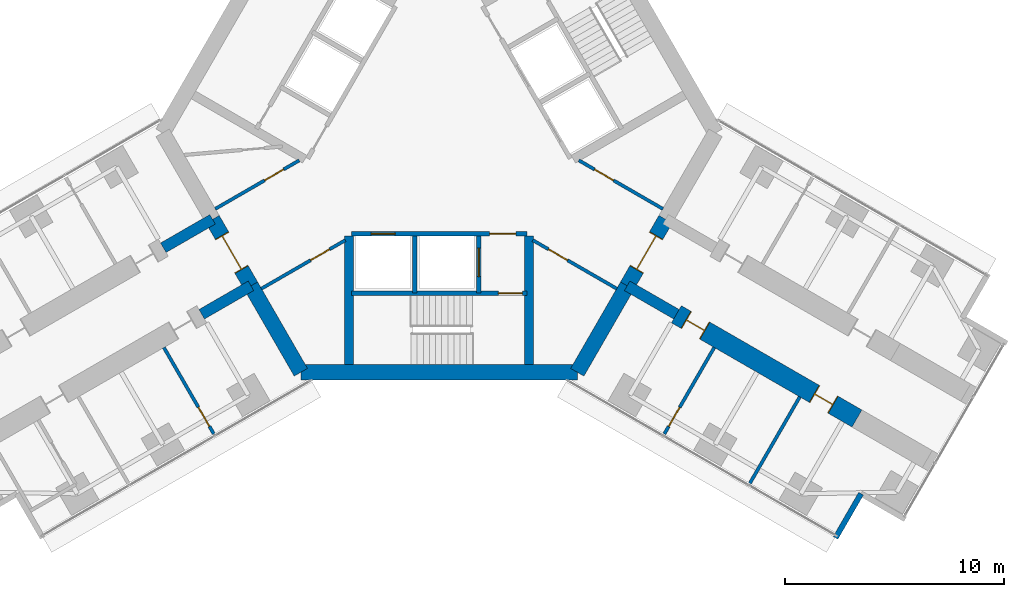
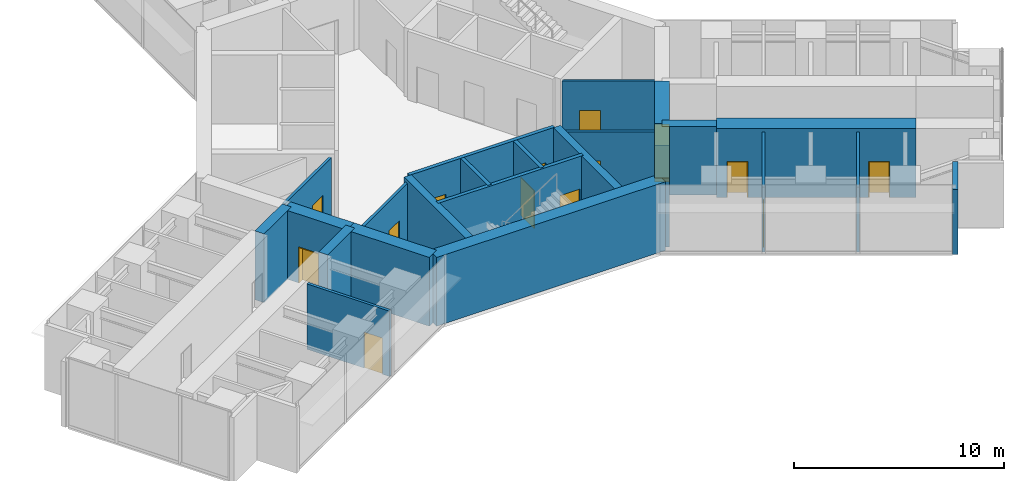
# One storey, part 20 of 24: 23 walls, 14 doors, 14 openings.
"""IFC4 building model written with IfcOpenShell, lengths in metres."""

import ifcopenshell
import ifcopenshell.guid

model = None  # the IFC model being written
_history = None  # IfcOwnerHistory: only IFC2X3 demands one
_inside = {}  # id of a spatial element -> (the spatial element, [elements in it])
_under = {}  # id of a project, library or spatial element -> (it, [spatial elements below it])
_declared = {}  # id of a project -> (the project, [libraries it declares])
_typed = {}  # id of a type object -> (the type object, [elements of that type])
_made_of = {}  # id of a material, layer set ... -> (it, [elements and type objects made of it])


def new_model(schema):
    """Start an empty IFC model of exactly this schema.

    Asked for "IFC4X3", IfcOpenShell would pick the latest addendum, in which some entities
    have other attributes; the version numbers below select the first issue.
    IFC2X3 requires an IfcOwnerHistory on every rooted entity: one is made here for all.
    """
    global model, _history
    if schema == "IFC4X3":
        model = ifcopenshell.file(schema_version=(4, 3, 0, 0))
    else:
        model = ifcopenshell.file(schema=schema)
    _inside.clear()
    _under.clear()
    _declared.clear()
    _typed.clear()
    _made_of.clear()
    _history = None
    if model.schema == "IFC2X3":
        org = make("IfcOrganization", Name="unknown")
        user = make(
            "IfcPersonAndOrganization",
            ThePerson=make("IfcPerson", FamilyName="unknown"),
            TheOrganization=org,
        )
        app = make(
            "IfcApplication",
            ApplicationDeveloper=org,
            Version="unknown",
            ApplicationFullName="unknown",
            ApplicationIdentifier="unknown",
        )
        _history = make(
            "IfcOwnerHistory",
            OwningUser=user,
            OwningApplication=app,
            ChangeAction="ADDED",
            CreationDate=0,
        )
    return model


def make(cls, **values):
    """One entity of the class cls with the attributes given. An attribute that is None is left unset."""
    return model.create_entity(
        cls, **{name: value for name, value in values.items() if value is not None}
    )


def rooted(cls, **values):
    """An entity with a GlobalId (a new one), such as an element, a storey or a relation."""
    return make(cls, GlobalId=ifcopenshell.guid.new(), OwnerHistory=_history, **values)


def si_unit(unit_type, name, prefix=None):
    """IfcSIUnit, for example si_unit("LENGTHUNIT", "METRE", prefix="MILLI")."""
    return make("IfcSIUnit", UnitType=unit_type, Prefix=prefix, Name=name)


def assignment(units):
    """IfcUnitAssignment: the units of a project."""
    return None if units is None else make("IfcUnitAssignment", Units=units)


def point(xyz):
    """IfcCartesianPoint."""
    return None if xyz is None else make("IfcCartesianPoint", Coordinates=xyz)


def direction(xyz):
    """IfcDirection."""
    return None if xyz is None else make("IfcDirection", DirectionRatios=xyz)


def frame(location, z_axis=None, x_axis=None):
    """IfcAxis2Placement3D, a coordinate frame: its origin and axes. An axis left out is left unset."""
    return make(
        "IfcAxis2Placement3D",
        Location=point(location),
        Axis=direction(z_axis),
        RefDirection=direction(x_axis),
    )


def frame_2d(location, x_axis=None):
    """IfcAxis2Placement2D, a coordinate frame in the plane: its origin and x axis."""
    return make(
        "IfcAxis2Placement2D", Location=point(location), RefDirection=direction(x_axis)
    )


def origin():
    """The frame at (0, 0, 0) with its axes left unset."""
    return frame((0.0, 0.0, 0.0))


def place(relative_to, where):
    """IfcLocalPlacement: puts the frame where relative to a parent placement (None: the world)."""
    return make(
        "IfcLocalPlacement", PlacementRelTo=relative_to, RelativePlacement=where
    )


def context(
    kind, dimensions, precision=None, world=None, true_north=None, identifier=None
):
    """IfcGeometricRepresentationContext, for example the 3D "Model" context."""
    return make(
        "IfcGeometricRepresentationContext",
        ContextIdentifier=identifier,
        ContextType=kind,
        CoordinateSpaceDimension=dimensions,
        Precision=precision,
        WorldCoordinateSystem=world,
        TrueNorth=true_north,
    )


def subcontext(parent, identifier, kind, view, scale=None):
    """IfcGeometricRepresentationSubContext, for example "Body" below "Model"."""
    return make(
        "IfcGeometricRepresentationSubContext",
        ContextIdentifier=identifier,
        ContextType=kind,
        ParentContext=parent,
        TargetScale=scale,
        TargetView=view,
    )


def project(units=None, contexts=None):
    """IfcProject with its units and contexts."""
    return rooted(
        "IfcProject",
        Name="project",
        RepresentationContexts=contexts,
        UnitsInContext=assignment(units),
    )


def spatial(cls, under=None, at=None, **own):
    """A site, building, storey or space (cls), placed at a placement, below another one or the project."""
    s = rooted(cls, ObjectPlacement=at, **own)
    if under is not None:
        _under.setdefault(under.id(), (under, []))[1].append(s)
    return s


def profile(cls, at=None, kind="AREA", **sizes):
    """A parametric profile (cls). Its sizes go by their IFC names, for example OverallWidth=200.0."""
    return make(cls, ProfileType=kind, Position=at, **sizes)


def rectangle(**sizes):
    """IfcRectangleProfileDef."""
    return profile("IfcRectangleProfileDef", **sizes)


def extrude(swept, where, along, depth):
    """IfcExtrudedAreaSolid: the profile swept, set in the frame where, extruded along a direction by depth."""
    return make(
        "IfcExtrudedAreaSolid",
        SweptArea=swept,
        Position=where,
        ExtrudedDirection=direction(along),
        Depth=depth,
    )


def shape(context_of_items, identifier, shape_type, items):
    """IfcShapeRepresentation: the items that make up one representation, for example the "Body"."""
    return make(
        "IfcShapeRepresentation",
        ContextOfItems=context_of_items,
        RepresentationIdentifier=identifier,
        RepresentationType=shape_type,
        Items=items,
    )


def material(Name=None, Category=None):
    """IfcMaterial."""
    return make("IfcMaterial", Name=Name, Category=Category)


def layer(
    of_material, thickness, ventilated=None, Name=None, Category=None, Priority=None
):
    """IfcMaterialLayer: one layer of a wall or slab, of a material (None: an air gap)."""
    return make(
        "IfcMaterialLayer",
        Material=of_material,
        LayerThickness=thickness,
        IsVentilated=ventilated,
        Name=Name,
        Category=Category,
        Priority=Priority,
    )


def layer_set(layers, Name=None):
    """IfcMaterialLayerSet."""
    return make("IfcMaterialLayerSet", MaterialLayers=layers, LayerSetName=Name)


def made_of(thing, what):
    """Note that an element or type object is made of a material, layer set ...; save() writes the relation."""
    if what is not None:
        _made_of.setdefault(what.id(), (what, []))[1].append(thing)
    return thing


def type_object(cls, material=None, **own):
    """A type object (cls), such as IfcWallType, which elements share."""
    return made_of(rooted(cls, **own), material)


def element(
    cls,
    number,
    at=None,
    inside=None,
    cuts=None,
    type_object=None,
    material=None,
    context=None,
    identifier="Body",
    shape_type=None,
    held_by="IfcProductDefinitionShape",
    body=None,
    shapes=None,
    **own,
):
    """One element of the class cls, such as IfcWall. Its Tag is "e" and its number.

    at: its placement. inside: the storey or other place that contains it. cuts: it is an
    opening in that element (IfcRelVoidsElement). A single representation is given by context,
    identifier, shape_type and body (its items); several are given by shapes. held_by: the class
    of the entity that holds the representations. save() writes the other relations.
    """
    e = rooted(cls, Tag="e%d" % number, ObjectPlacement=at, **own)
    if body is not None:
        shapes = [shape(context, identifier, shape_type, body)]
    if shapes is not None:
        e.Representation = make(held_by, Representations=shapes)
    if inside is not None:
        _inside.setdefault(inside.id(), (inside, []))[1].append(e)
    if cuts is not None:
        rooted(
            "IfcRelVoidsElement", RelatingBuildingElement=cuts, RelatedOpeningElement=e
        )
    if type_object is not None:
        _typed.setdefault(type_object.id(), (type_object, []))[1].append(e)
    return made_of(e, material)


def fill(opening, filler):
    """IfcRelFillsElement: the door or window that sits in an opening."""
    return rooted(
        "IfcRelFillsElement",
        RelatingOpeningElement=opening,
        RelatedBuildingElement=filler,
    )


def aggregate(whole, parts):
    """IfcRelAggregates: a whole, such as a stair, and the parts it consists of."""
    return rooted("IfcRelAggregates", RelatingObject=whole, RelatedObjects=parts)


def save(model, path):
    """Write the relations noted so far, then the file.

    IfcRelAggregates (storeys below a building ...), IfcRelContainedInSpatialStructure (elements
    in a storey), IfcRelDefinesByType, IfcRelAssociatesMaterial and IfcRelDeclares: one each for
    every whole, place, type object, material and project.
    """
    for whole, parts in _under.values():
        aggregate(whole, parts)
    for where, things in _inside.values():
        rooted(
            "IfcRelContainedInSpatialStructure",
            RelatedElements=things,
            RelatingStructure=where,
        )
    for kind, things in _typed.values():
        rooted("IfcRelDefinesByType", RelatedObjects=things, RelatingType=kind)
    for what, things in _made_of.values():
        rooted("IfcRelAssociatesMaterial", RelatedObjects=things, RelatingMaterial=what)
    for by, libraries in _declared.values():
        rooted("IfcRelDeclares", RelatingContext=by, RelatedDefinitions=libraries)
    model.write(path)


model = new_model("IFC4")

# Units and contexts
model_context = context("Model", 3, precision=1e-05, world=origin(), true_north=direction((0.0, 1.0)))
body_context = subcontext(model_context, "Body", "Model", "MODEL_VIEW")
ifc_project = project(units=[si_unit("LENGTHUNIT", "METRE"), si_unit("AREAUNIT", "SQUARE_METRE"), si_unit("VOLUMEUNIT", "CUBIC_METRE"), si_unit("PLANEANGLEUNIT", "RADIAN"), si_unit("MASSUNIT", "GRAM", prefix="KILO")], contexts=[model_context])

# Site, building, storey
site_placement = place(None, origin())
site = spatial("IfcSite", under=ifc_project, at=site_placement, CompositionType="ELEMENT")
building_placement = place(site_placement, origin())
building = spatial("IfcBuilding", under=site, at=building_placement, Name="Upepo Twin Towers", CompositionType="ELEMENT")
storey_placement = place(building_placement, frame((0.0, 0.0, 64.5)))
storey = spatial("IfcBuildingStorey", under=building, at=storey_placement, Name="L15", CompositionType="ELEMENT", Elevation=64.5)

# Walls
ifc_material_1 = material(Name="Concrete C60/75", Category="concrete")
ifc_layer_1 = layer(ifc_material_1, 0.5)
ifc_layer_set_1 = layer_set([ifc_layer_1], Name="Concrete C60/75")
wall_type_1 = type_object("IfcWallType", Name="Buttress wall 500 RC", PredefinedType="SHEAR", material=ifc_layer_set_1)
for number, where, z_axis, x_axis, name in (
    (1, (49.92822265625, -24.9697265625, 0.0), (0.0, 0.0, 1.0), (-0.866031863473, -0.499988811324, 0.0), "T2 wing B buttress wall L"),
    (2, (48.17822265625, -21.938720703125, 0.0), (0.0, 0.0, 1.0), (-0.866072649678, -0.499918158782, 0.0), "T2 wing B buttress wall R"),
    (3, (67.07177734375, -24.9697265625, 0.0), (0.0, 0.0, 1.0), (0.866031863473, -0.499988811324, 0.0), "T2 wing C buttress wall R"),
):
    element("IfcWall", number, at=place(storey_placement, frame(where, z_axis=z_axis, x_axis=x_axis)), inside=storey, type_object=wall_type_1, Name=name, PredefinedType="SHEAR", context=body_context, shape_type="SweptSolid", body=[
        extrude(rectangle(XDim=2.591796875, YDim=0.5, at=frame_2d((1.2958984375, 0.0))), origin(), (0.0, 0.0, 1.0), 4.0),
    ])

# Wall, openings, doors
ifc_material_2 = material(Name="Concrete C60/75", Category="concrete")
ifc_layer_2 = layer(ifc_material_2, 0.89990234375)
ifc_layer_set_2 = layer_set([ifc_layer_2], Name="Concrete C60/75")
wall_type_2 = type_object("IfcWallType", Name="Buttress wall 900 RC", PredefinedType="SHEAR", material=ifc_layer_set_2)
wall_1_placement = place(storey_placement, frame((69.31640625, -26.265625, 0.0), z_axis=(0.0, 0.0, 1.0), x_axis=(0.86602681393, -0.499997557548, 0.0)))
wall_1 = element("IfcWall", 4, at=wall_1_placement, inside=storey, type_object=wall_type_2, Name="T2 wing C buttress wall R part 2", PredefinedType="SHEAR", context=body_context, shape_type="SweptSolid", body=[
    extrude(rectangle(XDim=9.5, YDim=0.89990234375, at=frame_2d((4.75, 0.0))), origin(), (0.0, 0.0, 1.0), 4.0),
])
opening_1_placement = place(wall_1_placement, frame((0.5, 0.0, 0.0)))
opening_1 = element("IfcOpeningElement", 5, at=opening_1_placement, cuts=wall_1, Name="Opening D1", PredefinedType="OPENING", context=body_context, shape_type="SweptSolid", body=[
    extrude(rectangle(XDim=1.0, YDim=2.10009765625, at=frame_2d((0.5, 1.050048828125))), frame((0.0, 0.4599609375, 0.0), z_axis=(0.0, -1.0, 0.0), x_axis=(1.0, 0.0, 0.0)), (0.0, 0.0, 1.0), 0.919921875),
])
opening_2_placement = place(wall_1_placement, frame((7.25, 0.0, 0.0)))
opening_2 = element("IfcOpeningElement", 6, at=opening_2_placement, cuts=wall_1, Name="Opening D1", PredefinedType="OPENING", context=body_context, shape_type="SweptSolid", body=[
    extrude(rectangle(XDim=1.0, YDim=2.10009765625, at=frame_2d((0.5, 1.050048828125))), frame((0.0, 0.4599609375, 0.0), z_axis=(0.0, -1.0, 0.0), x_axis=(1.0, 0.0, 0.0)), (0.0, 0.0, 1.0), 0.919921875),
])
ifc_material_3 = material(Name="Timber doorset", Category="wood")
door_type_1 = type_object("IfcDoorType", Name="Room door 1000 FD30", OperationType="SINGLE_SWING_LEFT", PredefinedType="DOOR", material=ifc_material_3)
door_1_placement = place(opening_1_placement, origin())
door_1 = element("IfcDoor", 7, at=door_1_placement, inside=storey, type_object=door_type_1, Name="T2 L15 staff office door", OperationType="SINGLE_SWING_LEFT", OverallHeight=2.10009765625, OverallWidth=1.0, PredefinedType="DOOR", context=body_context, shape_type="SweptSolid", body=[
    extrude(rectangle(XDim=0.92, YDim=2.06009765625, at=frame_2d((0.5, 1.030029296875))), frame((0.0, 0.02490234375, 0.0), z_axis=(0.0, -1.0, 0.0), x_axis=(1.0, 0.0, 0.0)), (0.0, 0.0, 1.0), 0.050048828125),
    extrude(rectangle(XDim=0.04, YDim=2.10009765625, at=frame_2d((0.02001953125, 1.050048828125))), frame((0.0, 0.44970703125, 0.0), z_axis=(0.0, -1.0, 0.0), x_axis=(1.0, 0.0, 0.0)), (0.0, 0.0, 1.0), 0.8994140625),
    extrude(rectangle(XDim=0.04, YDim=2.10009765625, at=frame_2d((0.97998046875, 1.050048828125))), frame((0.0, 0.44970703125, 0.0), z_axis=(0.0, -1.0, 0.0), x_axis=(1.0, 0.0, 0.0)), (0.0, 0.0, 1.0), 0.8994140625),
    extrude(rectangle(XDim=0.92, YDim=0.04, at=frame_2d((0.5, 2.080078125))), frame((0.0, 0.44970703125, 0.0), z_axis=(0.0, -1.0, 0.0), x_axis=(1.0, 0.0, 0.0)), (0.0, 0.0, 1.0), 0.8994140625),
])
fill(opening_1, door_1)
door_2_placement = place(opening_2_placement, origin())
door_2 = element("IfcDoor", 8, at=door_2_placement, inside=storey, type_object=door_type_1, Name="T2 L15 tutorial room door", OperationType="SINGLE_SWING_RIGHT", OverallHeight=2.10009765625, OverallWidth=1.0, PredefinedType="DOOR", context=body_context, shape_type="SweptSolid", body=[
    extrude(rectangle(XDim=0.92, YDim=2.06009765625, at=frame_2d((0.5, 1.030029296875))), frame((0.0, 0.02490234375, 0.0), z_axis=(0.0, -1.0, 0.0), x_axis=(1.0, 0.0, 0.0)), (0.0, 0.0, 1.0), 0.050048828125),
    extrude(rectangle(XDim=0.04, YDim=2.10009765625, at=frame_2d((0.02001953125, 1.050048828125))), frame((0.0, 0.44970703125, 0.0), z_axis=(0.0, -1.0, 0.0), x_axis=(1.0, 0.0, 0.0)), (0.0, 0.0, 1.0), 0.8994140625),
    extrude(rectangle(XDim=0.04, YDim=2.10009765625, at=frame_2d((0.97998046875, 1.050048828125))), frame((0.0, 0.44970703125, 0.0), z_axis=(0.0, -1.0, 0.0), x_axis=(1.0, 0.0, 0.0)), (0.0, 0.0, 1.0), 0.8994140625),
    extrude(rectangle(XDim=0.92, YDim=0.04, at=frame_2d((0.5, 2.080078125))), frame((0.0, 0.44970703125, 0.0), z_axis=(0.0, -1.0, 0.0), x_axis=(1.0, 0.0, 0.0)), (0.0, 0.0, 1.0), 0.8994140625),
])
fill(opening_2, door_2)

# Wall, opening, door
ifc_material_4 = material(Name="Concrete C60/75", Category="concrete")
ifc_layer_3 = layer(ifc_material_4, 0.699951171875)
ifc_layer_set_3 = layer_set([ifc_layer_3], Name="Concrete C60/75")
wall_type_3 = type_object("IfcWallType", Name="Core wall 700 RC", PredefinedType="SHEAR", material=ifc_layer_set_3)
wall_2_placement = place(storey_placement, frame((48.17822265625, -21.938720703125, 0.0), z_axis=(0.0, 0.0, 1.0), x_axis=(0.500010275428, -0.866019471182, 0.0)))
wall_2 = element("IfcWall", 9, at=wall_2_placement, inside=storey, type_object=wall_type_3, Name="T2 core wall 120", PredefinedType="SHEAR", context=body_context, shape_type="SweptSolid", body=[
    extrude(rectangle(XDim=3.5, YDim=0.699951171875, at=frame_2d((1.75, 0.0))), origin(), (0.0, 0.0, 1.0), 4.0),
])
opening_3_placement = place(wall_2_placement, frame((0.85009765625, 0.0, 0.0)))
opening_3 = element("IfcOpeningElement", 10, at=opening_3_placement, cuts=wall_2, Name="Opening D2", PredefinedType="OPENING", context=body_context, shape_type="SweptSolid", body=[
    extrude(rectangle(XDim=1.800048828125, YDim=2.10009765625, at=frame_2d((0.89990234375, 1.050048828125))), frame((0.0, 0.35986328125, 0.0), z_axis=(0.0, -1.0, 0.0), x_axis=(1.0, 0.0, 0.0)), (0.0, 0.0, 1.0), 0.719970703125),
])
ifc_material_5 = material(Name="Timber doorset", Category="wood")
door_type_2 = type_object("IfcDoorType", Name="Corridor double door 1800 FD60", OperationType="DOUBLE_DOOR_DOUBLE_SWING", PredefinedType="DOOR", material=ifc_material_5)
door_3_placement = place(opening_3_placement, origin())
door_3 = element("IfcDoor", 11, at=door_3_placement, inside=storey, type_object=door_type_2, Name="T2 L15 wing B corridor door", OperationType="DOUBLE_DOOR_DOUBLE_SWING", OverallHeight=2.10009765625, OverallWidth=1.800048828125, PredefinedType="DOOR", context=body_context, shape_type="SweptSolid", body=[
    extrude(rectangle(XDim=1.720048828125, YDim=2.06009765625, at=frame_2d((0.89990234375, 1.030029296875))), frame((0.0, 0.02490234375, 0.0), z_axis=(0.0, -1.0, 0.0), x_axis=(1.0, 0.0, 0.0)), (0.0, 0.0, 1.0), 0.050048828125),
    extrude(rectangle(XDim=0.04, YDim=2.10009765625, at=frame_2d((0.02001953125, 1.050048828125))), frame((0.0, 0.349609375, 0.0), z_axis=(0.0, -1.0, 0.0), x_axis=(1.0, 0.0, 0.0)), (0.0, 0.0, 1.0), 0.699462890625),
    extrude(rectangle(XDim=0.04, YDim=2.10009765625, at=frame_2d((1.780029296875, 1.050048828125))), frame((0.0, 0.349609375, 0.0), z_axis=(0.0, -1.0, 0.0), x_axis=(1.0, 0.0, 0.0)), (0.0, 0.0, 1.0), 0.699462890625),
    extrude(rectangle(XDim=1.720048828125, YDim=0.04, at=frame_2d((0.89990234375, 2.080078125))), frame((0.0, 0.349609375, 0.0), z_axis=(0.0, -1.0, 0.0), x_axis=(1.0, 0.0, 0.0)), (0.0, 0.0, 1.0), 0.699462890625),
])
fill(opening_3, door_3)

# Walls
wall_3_placement = place(storey_placement, frame((49.92822265625, -24.9697265625, 0.0), z_axis=(0.0, 0.0, 1.0), x_axis=(0.499984222037, -0.866034513004, 0.0)))
element("IfcWall", 12, at=wall_3_placement, inside=storey, type_object=wall_type_3, Name="T2 core wall 120 L", PredefinedType="SHEAR", context=body_context, shape_type="SweptSolid", body=[
    extrude(rectangle(XDim=4.548095703125, YDim=0.699951171875, at=frame_2d((2.27392578125, 0.0))), origin(), (0.0, 0.0, 1.0), 4.0),
])
wall_4_placement = place(storey_placement, frame((52.2021484375, -28.908447265625, 0.0), z_axis=(0.0, 0.0, 1.0), x_axis=(1.0, 0.0, 0.0)))
element("IfcWall", 13, at=wall_4_placement, inside=storey, type_object=wall_type_3, Name="T2 core wall 180", PredefinedType="SHEAR", context=body_context, shape_type="SweptSolid", body=[
    extrude(rectangle(XDim=12.595703125, YDim=0.699951171875, at=frame_2d((6.2978515625, 0.0))), origin(), (0.0, 0.0, 1.0), 4.0),
])
wall_5_placement = place(storey_placement, frame((64.7978515625, -28.908447265625, 0.0), z_axis=(0.0, 0.0, 1.0), x_axis=(0.499984222037, 0.866034513004, 0.0)))
element("IfcWall", 14, at=wall_5_placement, inside=storey, type_object=wall_type_3, Name="T2 core wall 240 R", PredefinedType="SHEAR", context=body_context, shape_type="SweptSolid", body=[
    extrude(rectangle(XDim=4.548095703125, YDim=0.699951171875, at=frame_2d((2.27392578125, 0.0))), origin(), (0.0, 0.0, 1.0), 4.0),
])

# Wall, opening, door
wall_6_placement = place(storey_placement, frame((67.07177734375, -24.9697265625, 0.0), z_axis=(0.0, 0.0, 1.0), x_axis=(0.500010275428, 0.866019471182, 0.0)))
wall_6 = element("IfcWall", 15, at=wall_6_placement, inside=storey, type_object=wall_type_3, Name="T2 core wall 240", PredefinedType="SHEAR", context=body_context, shape_type="SweptSolid", body=[
    extrude(rectangle(XDim=3.5, YDim=0.699951171875, at=frame_2d((1.75, 0.0))), origin(), (0.0, 0.0, 1.0), 4.0),
])
opening_4_placement = place(wall_6_placement, frame((0.85009765625, 0.0, 0.0)))
opening_4 = element("IfcOpeningElement", 16, at=opening_4_placement, cuts=wall_6, Name="Opening D2", PredefinedType="OPENING", context=body_context, shape_type="SweptSolid", body=[
    extrude(rectangle(XDim=1.800048828125, YDim=2.10009765625, at=frame_2d((0.89990234375, 1.050048828125))), frame((0.0, 0.35986328125, 0.0), z_axis=(0.0, -1.0, 0.0), x_axis=(1.0, 0.0, 0.0)), (0.0, 0.0, 1.0), 0.719970703125),
])
door_4_placement = place(opening_4_placement, origin())
door_4 = element("IfcDoor", 17, at=door_4_placement, inside=storey, type_object=door_type_2, Name="T2 L15 wing C corridor door", OperationType="DOUBLE_DOOR_DOUBLE_SWING", OverallHeight=2.10009765625, OverallWidth=1.800048828125, PredefinedType="DOOR", context=body_context, shape_type="SweptSolid", body=[
    extrude(rectangle(XDim=1.720048828125, YDim=2.06009765625, at=frame_2d((0.89990234375, 1.030029296875))), frame((0.0, 0.02490234375, 0.0), z_axis=(0.0, -1.0, 0.0), x_axis=(1.0, 0.0, 0.0)), (0.0, 0.0, 1.0), 0.050048828125),
    extrude(rectangle(XDim=0.04, YDim=2.10009765625, at=frame_2d((0.02001953125, 1.050048828125))), frame((0.0, 0.349609375, 0.0), z_axis=(0.0, -1.0, 0.0), x_axis=(1.0, 0.0, 0.0)), (0.0, 0.0, 1.0), 0.699462890625),
    extrude(rectangle(XDim=0.04, YDim=2.10009765625, at=frame_2d((1.780029296875, 1.050048828125))), frame((0.0, 0.349609375, 0.0), z_axis=(0.0, -1.0, 0.0), x_axis=(1.0, 0.0, 0.0)), (0.0, 0.0, 1.0), 0.699462890625),
    extrude(rectangle(XDim=1.720048828125, YDim=0.04, at=frame_2d((0.89990234375, 2.080078125))), frame((0.0, 0.349609375, 0.0), z_axis=(0.0, -1.0, 0.0), x_axis=(1.0, 0.0, 0.0)), (0.0, 0.0, 1.0), 0.699462890625),
])
fill(opening_4, door_4)

# Wall
ifc_material_6 = material(Name="Blockwork with anodised aluminium cladding", Category="masonry")
ifc_layer_4 = layer(ifc_material_6, 0.25)
ifc_layer_set_4 = layer_set([ifc_layer_4], Name="Notch cladding wall 250, pale metal")
wall_type_4 = type_object("IfcWallType", Name="Notch cladding wall 250, pale metal", PredefinedType="STANDARD", material=ifc_layer_set_4)
wall_7_placement = place(storey_placement, frame((76.5673828125, -36.456298828125, 0.0), z_axis=(0.0, 0.0, 1.0), x_axis=(0.500046648681, 0.865998469481, 0.0)))
element("IfcWall", 18, at=wall_7_placement, inside=storey, type_object=wall_type_4, Name="T2 L15 wing C notch wall R1", PredefinedType="STANDARD", context=body_context, shape_type="SweptSolid", body=[
    extrude(rectangle(XDim=2.324951171875, YDim=0.25, at=frame_2d((1.16259765625, 0.0))), origin(), (0.0, 0.0, 1.0), 3.800048828125),
])

# Wall, openings, doors
ifc_material_7 = material(Name="Concrete C40/50", Category="concrete")
ifc_layer_5 = layer(ifc_material_7, 0.199951171875)
ifc_layer_set_5 = layer_set([ifc_layer_5], Name="Concrete C40/50")
wall_type_5 = type_object("IfcWallType", Name="Shaft wall 200 RC", PredefinedType="SHEAR", material=ifc_layer_set_5)
wall_8_placement = place(storey_placement, frame((54.5, -22.60009765625, 0.0), z_axis=(0.0, 0.0, 1.0), x_axis=(1.0, 0.0, 0.0)))
wall_8 = element("IfcWall", 19, at=wall_8_placement, inside=storey, type_object=wall_type_5, Name="T2 core W180 front wall", PredefinedType="SHEAR", context=body_context, shape_type="SweptSolid", body=[
    extrude(rectangle(XDim=8.0, YDim=0.199951171875, at=frame_2d((4.0, 0.0))), origin(), (0.0, 0.0, 1.0), 4.0),
])
opening_5_placement = place(wall_8_placement, frame((6.300048828125, 0.0, 0.0)))
opening_5 = element("IfcOpeningElement", 20, at=opening_5_placement, cuts=wall_8, Name="Opening D4", PredefinedType="OPENING", context=body_context, shape_type="SweptSolid", body=[
    extrude(rectangle(XDim=1.199951171875, YDim=2.10009765625, at=frame_2d((0.60009765625, 1.050048828125))), frame((0.0, 0.10986328125, 0.0), z_axis=(0.0, -1.0, 0.0), x_axis=(1.0, 0.0, 0.0)), (0.0, 0.0, 1.0), 0.219970703125),
])
opening_6_placement = place(wall_8_placement, frame((0.89990234375, 0.0, 0.0)))
opening_6 = element("IfcOpeningElement", 21, at=opening_6_placement, cuts=wall_8, Name="Opening LD1", PredefinedType="OPENING", context=body_context, shape_type="SweptSolid", body=[
    extrude(rectangle(XDim=1.10009765625, YDim=2.199951171875, at=frame_2d((0.550048828125, 1.10009765625))), frame((0.0, 0.10986328125, 0.0), z_axis=(0.0, -1.0, 0.0), x_axis=(1.0, 0.0, 0.0)), (0.0, 0.0, 1.0), 0.219970703125),
])
ifc_material_8 = material(Name="Steel doorset", Category="steel")
door_type_3 = type_object("IfcDoorType", Name="Lift landing door 1100", OperationType="DOUBLE_DOOR_SLIDING", PredefinedType="DOOR", material=ifc_material_8)
door_5_placement = place(opening_6_placement, origin())
door_5 = element("IfcDoor", 22, at=door_5_placement, inside=storey, type_object=door_type_3, Name="T2 L15 lift SV1 landing door", OperationType="DOUBLE_DOOR_SLIDING", OverallHeight=2.199951171875, OverallWidth=1.10009765625, PredefinedType="DOOR", context=body_context, shape_type="SweptSolid", body=[
    extrude(rectangle(XDim=1.10009765625, YDim=2.199951171875, at=frame_2d((0.550048828125, 1.10009765625))), frame((0.0, 0.02490234375, 0.0), z_axis=(0.0, -1.0, 0.0), x_axis=(1.0, 0.0, 0.0)), (0.0, 0.0, 1.0), 0.050048828125),
])
fill(opening_6, door_5)
ifc_material_9 = material(Name="Timber doorset", Category="wood")
door_type_4 = type_object("IfcDoorType", Name="Lobby door 1200 FD60", OperationType="SINGLE_SWING_LEFT", PredefinedType="DOOR", material=ifc_material_9)
door_6_placement = place(opening_5_placement, origin())
door_6 = element("IfcDoor", 23, at=door_6_placement, inside=storey, type_object=door_type_4, Name="T2 L15 W180 lobby door", OperationType="SINGLE_SWING_RIGHT", OverallHeight=2.10009765625, OverallWidth=1.199951171875, PredefinedType="DOOR", context=body_context, shape_type="SweptSolid", body=[
    extrude(rectangle(XDim=1.199951171875, YDim=2.10009765625, at=frame_2d((0.60009765625, 1.050048828125))), frame((0.0, 0.02490234375, 0.0), z_axis=(0.0, -1.0, 0.0), x_axis=(1.0, 0.0, 0.0)), (0.0, 0.0, 1.0), 0.050048828125),
])
fill(opening_5, door_6)

# Wall
wall_9_placement = place(storey_placement, frame((57.39990234375, -22.699951171875, 0.0), z_axis=(0.0, 0.0, 1.0), x_axis=(0.0, -1.0, 0.0)))
element("IfcWall", 24, at=wall_9_placement, inside=storey, type_object=wall_type_5, Name="T2 core W180 shaft divider", PredefinedType="SHEAR", context=body_context, shape_type="SweptSolid", body=[
    extrude(rectangle(XDim=2.60009765625, YDim=0.199951171875, at=frame_2d((1.300048828125, 0.0))), origin(), (0.0, 0.0, 1.0), 4.0),
])

# Wall, opening, door
wall_10_placement = place(storey_placement, frame((60.300048828125, -22.699951171875, 0.0), z_axis=(0.0, 0.0, 1.0), x_axis=(0.0, -1.0, 0.0)))
wall_10 = element("IfcWall", 25, at=wall_10_placement, inside=storey, type_object=wall_type_5, Name="T2 core W180 lobby wall", PredefinedType="SHEAR", context=body_context, shape_type="SweptSolid", body=[
    extrude(rectangle(XDim=2.60009765625, YDim=0.199951171875, at=frame_2d((1.300048828125, 0.0))), origin(), (0.0, 0.0, 1.0), 4.0),
])
opening_7_placement = place(wall_10_placement, frame((0.550048828125, 0.0, 0.0)))
opening_7 = element("IfcOpeningElement", 26, at=opening_7_placement, cuts=wall_10, Name="Opening LD2", PredefinedType="OPENING", context=body_context, shape_type="SweptSolid", body=[
    extrude(rectangle(XDim=1.300048828125, YDim=2.199951171875, at=frame_2d((0.64990234375, 1.10009765625))), frame((0.0, 0.10986328125, 0.0), z_axis=(0.0, -1.0, 0.0), x_axis=(1.0, 0.0, 0.0)), (0.0, 0.0, 1.0), 0.219970703125),
])
ifc_material_10 = material(Name="Steel doorset", Category="steel")
door_type_5 = type_object("IfcDoorType", Name="Firefighting lift landing door 1300", OperationType="DOUBLE_DOOR_SLIDING", PredefinedType="DOOR", material=ifc_material_10)
door_7_placement = place(opening_7_placement, origin())
door_7 = element("IfcDoor", 27, at=door_7_placement, inside=storey, type_object=door_type_5, Name="T2 L15 firefighting lift landing door", OperationType="DOUBLE_DOOR_SLIDING", OverallHeight=2.199951171875, OverallWidth=1.300048828125, PredefinedType="DOOR", context=body_context, shape_type="SweptSolid", body=[
    extrude(rectangle(XDim=1.300048828125, YDim=2.199951171875, at=frame_2d((0.64990234375, 1.10009765625))), frame((0.0, 0.02490234375, 0.0), z_axis=(0.0, -1.0, 0.0), x_axis=(1.0, 0.0, 0.0)), (0.0, 0.0, 1.0), 0.050048828125),
])
fill(opening_7, door_7)

wall_11_placement = place(storey_placement, frame((54.5, -25.300048828125, 0.0), z_axis=(0.0, 0.0, 1.0), x_axis=(1.0, 0.0, 0.0)))
wall_11 = element("IfcWall", 28, at=wall_11_placement, inside=storey, type_object=wall_type_5, Name="T2 core W180 stair wall", PredefinedType="SHEAR", context=body_context, shape_type="SweptSolid", body=[
    extrude(rectangle(XDim=8.0, YDim=0.199951171875, at=frame_2d((4.0, 0.0))), origin(), (0.0, 0.0, 1.0), 4.0),
])
opening_8_placement = place(wall_11_placement, frame((6.699951171875, 0.0, 0.0)))
opening_8 = element("IfcOpeningElement", 29, at=opening_8_placement, cuts=wall_11, Name="Opening D3", PredefinedType="OPENING", context=body_context, shape_type="SweptSolid", body=[
    extrude(rectangle(XDim=1.10009765625, YDim=2.10009765625, at=frame_2d((0.550048828125, 1.050048828125))), frame((0.0, 0.10986328125, 0.0), z_axis=(0.0, -1.0, 0.0), x_axis=(1.0, 0.0, 0.0)), (0.0, 0.0, 1.0), 0.219970703125),
])
ifc_material_11 = material(Name="Timber doorset", Category="wood")
door_type_6 = type_object("IfcDoorType", Name="Stair door 1100 FD60", OperationType="SINGLE_SWING_LEFT", PredefinedType="DOOR", material=ifc_material_11)
door_8_placement = place(opening_8_placement, origin())
door_8 = element("IfcDoor", 30, at=door_8_placement, inside=storey, type_object=door_type_6, Name="T2 L15 stair door", OperationType="SINGLE_SWING_RIGHT", OverallHeight=2.10009765625, OverallWidth=1.10009765625, PredefinedType="DOOR", context=body_context, shape_type="SweptSolid", body=[
    extrude(rectangle(XDim=1.10009765625, YDim=2.10009765625, at=frame_2d((0.550048828125, 1.050048828125))), frame((0.0, 0.02490234375, 0.0), z_axis=(0.0, -1.0, 0.0), x_axis=(1.0, 0.0, 0.0)), (0.0, 0.0, 1.0), 0.050048828125),
])
fill(opening_8, door_8)

# Walls
ifc_material_12 = material(Name="Concrete C40/50", Category="concrete")
ifc_layer_6 = layer(ifc_material_12, 0.39990234375)
ifc_layer_set_6 = layer_set([ifc_layer_6], Name="Concrete C40/50")
wall_type_6 = type_object("IfcWallType", Name="Shaft wall 400 RC", PredefinedType="SHEAR", material=ifc_layer_set_6)
for number, where, z_axis, x_axis, name in (
    (31, (62.60009765625, -22.699951171875, 0.0), (0.0, 0.0, 1.0), (0.0, -1.0, 0.0), "T2 core W180 side wall N"),
    (32, (54.39990234375, -22.699951171875, 0.0), (0.0, 0.0, 1.0), (0.0, -1.0, 0.0), "T2 core W180 side wall S"),
):
    element("IfcWall", number, at=place(storey_placement, frame(where, z_axis=z_axis, x_axis=x_axis)), inside=storey, type_object=wall_type_6, Name=name, PredefinedType="SHEAR", context=body_context, shape_type="SweptSolid", body=[
        extrude(rectangle(XDim=5.8583984375, YDim=0.39990234375, at=frame_2d((2.92919921875, 0.0))), origin(), (0.0, 0.0, 1.0), 4.0),
    ])

# Wall, opening, door
ifc_material_13 = material(Name="Gypsum board on steel studs", Category="steel")
ifc_layer_7 = layer(ifc_material_13, 0.14990234375)
ifc_layer_set_7 = layer_set([ifc_layer_7], Name="Teaching partition 150 acoustic")
wall_type_7 = type_object("IfcWallType", Name="Teaching partition 150 acoustic", PredefinedType="PARTITIONING", material=ifc_layer_set_7)
wall_12_placement = place(storey_placement, frame((45.960205078125, -27.7802734375, 0.0), z_axis=(0.0, 0.0, 1.0), x_axis=(0.499982560684, -0.866035472144, 0.0)))
wall_12 = element("IfcWall", 33, at=wall_12_placement, inside=storey, type_object=wall_type_7, Name="T2 partition BL at 15.75", PredefinedType="PARTITIONING", context=body_context, shape_type="SweptSolid", body=[
    extrude(rectangle(XDim=4.550048828125, YDim=0.14990234375, at=frame_2d((2.27490234375, 0.0))), origin(), (0.0, 0.0, 1.0), 3.800048828125),
])
opening_9_placement = place(wall_12_placement, frame((3.14990234375, 0.0, 0.0)))
opening_9 = element("IfcOpeningElement", 34, at=opening_9_placement, cuts=wall_12, Name="Opening D1", PredefinedType="OPENING", context=body_context, shape_type="SweptSolid", body=[
    extrude(rectangle(XDim=1.0, YDim=2.10009765625, at=frame_2d((0.5, 1.050048828125))), frame((0.0, 0.0849609375, 0.0), z_axis=(0.0, -1.0, 0.0), x_axis=(1.0, 0.0, 0.0)), (0.0, 0.0, 1.0), 0.169921875),
])
door_9_placement = place(opening_9_placement, origin())
door_9 = element("IfcDoor", 35, at=door_9_placement, inside=storey, type_object=door_type_1, Name="T2 L15 connecting door", OperationType="SINGLE_SWING_RIGHT", OverallHeight=2.10009765625, OverallWidth=1.0, PredefinedType="DOOR", context=body_context, shape_type="SweptSolid", body=[
    extrude(rectangle(XDim=1.0, YDim=2.10009765625, at=frame_2d((0.5, 1.050048828125))), frame((0.0, 0.02490234375, 0.0), z_axis=(0.0, -1.0, 0.0), x_axis=(1.0, 0.0, 0.0)), (0.0, 0.0, 1.0), 0.050048828125),
])
fill(opening_9, door_9)

wall_13_placement = place(storey_placement, frame((71.039794921875, -27.7802734375, 0.0), z_axis=(0.0, 0.0, 1.0), x_axis=(-0.499982560684, -0.866035472144, 0.0)))
wall_13 = element("IfcWall", 36, at=wall_13_placement, inside=storey, type_object=wall_type_7, Name="T2 partition CR at 15.75", PredefinedType="PARTITIONING", context=body_context, shape_type="SweptSolid", body=[
    extrude(rectangle(XDim=4.550048828125, YDim=0.14990234375, at=frame_2d((2.27490234375, 0.0))), origin(), (0.0, 0.0, 1.0), 3.800048828125),
])
opening_10_placement = place(wall_13_placement, frame((3.14990234375, 0.0, 0.0)))
opening_10 = element("IfcOpeningElement", 37, at=opening_10_placement, cuts=wall_13, Name="Opening D1", PredefinedType="OPENING", context=body_context, shape_type="SweptSolid", body=[
    extrude(rectangle(XDim=1.0, YDim=2.10009765625, at=frame_2d((0.5, 1.050048828125))), frame((0.0, 0.0849609375, 0.0), z_axis=(0.0, -1.0, 0.0), x_axis=(1.0, 0.0, 0.0)), (0.0, 0.0, 1.0), 0.169921875),
])
door_10_placement = place(opening_10_placement, origin())
door_10 = element("IfcDoor", 38, at=door_10_placement, inside=storey, type_object=door_type_1, Name="T2 L15 connecting door", OperationType="SINGLE_SWING_RIGHT", OverallHeight=2.10009765625, OverallWidth=1.0, PredefinedType="DOOR", context=body_context, shape_type="SweptSolid", body=[
    extrude(rectangle(XDim=1.0, YDim=2.10009765625, at=frame_2d((0.5, 1.050048828125))), frame((0.0, 0.02490234375, 0.0), z_axis=(0.0, -1.0, 0.0), x_axis=(1.0, 0.0, 0.0)), (0.0, 0.0, 1.0), 0.050048828125),
])
fill(opening_10, door_10)

# Wall
wall_14_placement = place(storey_placement, frame((74.93701171875, -30.0302734375, 0.0), z_axis=(0.0, 0.0, 1.0), x_axis=(-0.499982560684, -0.866035472144, 0.0)))
element("IfcWall", 39, at=wall_14_placement, inside=storey, type_object=wall_type_7, Name="T2 partition CR at 20.25", PredefinedType="PARTITIONING", context=body_context, shape_type="SweptSolid", body=[
    extrude(rectangle(XDim=4.550048828125, YDim=0.14990234375, at=frame_2d((2.27490234375, 0.0))), origin(), (0.0, 0.0, 1.0), 3.800048828125),
])

# Wall, opening, door
wall_15_placement = place(storey_placement, frame((48.297607421875, -21.465576171875, 0.0), z_axis=(0.0, 0.0, 1.0), x_axis=(0.866021148949, 0.500007369519, 0.0)))
wall_15 = element("IfcWall", 40, at=wall_15_placement, inside=storey, type_object=wall_type_7, Name="T2 core room partition 1", PredefinedType="PARTITIONING", context=body_context, shape_type="SweptSolid", body=[
    extrude(rectangle(XDim=4.42578125, YDim=0.14990234375, at=frame_2d((2.212890625, 0.0))), origin(), (0.0, 0.0, 1.0), 3.800048828125),
])
opening_11_placement = place(wall_15_placement, frame((2.597900390625, 0.0, 0.0)))
opening_11 = element("IfcOpeningElement", 41, at=opening_11_placement, cuts=wall_15, Name="Opening D1", PredefinedType="OPENING", context=body_context, shape_type="SweptSolid", body=[
    extrude(rectangle(XDim=1.0, YDim=2.10009765625, at=frame_2d((0.5, 1.050048828125))), frame((0.0, 0.0849609375, 0.0), z_axis=(0.0, -1.0, 0.0), x_axis=(1.0, 0.0, 0.0)), (0.0, 0.0, 1.0), 0.169921875),
])
door_11_placement = place(opening_11_placement, origin())
door_11 = element("IfcDoor", 42, at=door_11_placement, inside=storey, type_object=door_type_1, Name="T2 L15 core room door K2", OperationType="SINGLE_SWING_RIGHT", OverallHeight=2.10009765625, OverallWidth=1.0, PredefinedType="DOOR", context=body_context, shape_type="SweptSolid", body=[
    extrude(rectangle(XDim=1.0, YDim=2.10009765625, at=frame_2d((0.5, 1.050048828125))), frame((0.0, 0.02490234375, 0.0), z_axis=(0.0, -1.0, 0.0), x_axis=(1.0, 0.0, 0.0)), (0.0, 0.0, 1.0), 0.050048828125),
])
fill(opening_11, door_11)

wall_16_placement = place(storey_placement, frame((64.86962890625, -19.252685546875, 0.0), z_axis=(0.0, 0.0, 1.0), x_axis=(0.866021148949, -0.500007369519, 0.0)))
wall_16 = element("IfcWall", 43, at=wall_16_placement, inside=storey, type_object=wall_type_7, Name="T2 core room partition 4", PredefinedType="PARTITIONING", context=body_context, shape_type="SweptSolid", body=[
    extrude(rectangle(XDim=4.42578125, YDim=0.14990234375, at=frame_2d((2.212890625, 0.0))), origin(), (0.0, 0.0, 1.0), 3.800048828125),
])
opening_12_placement = place(wall_16_placement, frame((0.82763671875, 0.0, 0.0)))
opening_12 = element("IfcOpeningElement", 44, at=opening_12_placement, cuts=wall_16, Name="Opening D1", PredefinedType="OPENING", context=body_context, shape_type="SweptSolid", body=[
    extrude(rectangle(XDim=1.0, YDim=2.10009765625, at=frame_2d((0.5, 1.050048828125))), frame((0.0, 0.0849609375, 0.0), z_axis=(0.0, -1.0, 0.0), x_axis=(1.0, 0.0, 0.0)), (0.0, 0.0, 1.0), 0.169921875),
])
door_12_placement = place(opening_12_placement, origin())
door_12 = element("IfcDoor", 45, at=door_12_placement, inside=storey, type_object=door_type_1, Name="T2 L15 core room door K5", OperationType="SINGLE_SWING_LEFT", OverallHeight=2.10009765625, OverallWidth=1.0, PredefinedType="DOOR", context=body_context, shape_type="SweptSolid", body=[
    extrude(rectangle(XDim=1.0, YDim=2.10009765625, at=frame_2d((0.5, 1.050048828125))), frame((0.0, 0.02490234375, 0.0), z_axis=(0.0, -1.0, 0.0), x_axis=(1.0, 0.0, 0.0)), (0.0, 0.0, 1.0), 0.050048828125),
])
fill(opening_12, door_12)

wall_17_placement = place(storey_placement, frame((66.6025390625, -25.102783203125, 0.0), z_axis=(0.0, 0.0, 1.0), x_axis=(-0.866021148949, 0.500007369519, 0.0)))
wall_17 = element("IfcWall", 46, at=wall_17_placement, inside=storey, type_object=wall_type_7, Name="T2 core room partition 5", PredefinedType="PARTITIONING", context=body_context, shape_type="SweptSolid", body=[
    extrude(rectangle(XDim=4.42578125, YDim=0.14990234375, at=frame_2d((2.212890625, 0.0))), origin(), (0.0, 0.0, 1.0), 3.800048828125),
])
opening_13_placement = place(wall_17_placement, frame((2.597900390625, 0.0, 0.0)))
opening_13 = element("IfcOpeningElement", 47, at=opening_13_placement, cuts=wall_17, Name="Opening D1", PredefinedType="OPENING", context=body_context, shape_type="SweptSolid", body=[
    extrude(rectangle(XDim=1.0, YDim=2.10009765625, at=frame_2d((0.5, 1.050048828125))), frame((0.0, 0.0849609375, 0.0), z_axis=(0.0, -1.0, 0.0), x_axis=(1.0, 0.0, 0.0)), (0.0, 0.0, 1.0), 0.169921875),
])
door_13_placement = place(opening_13_placement, origin())
door_13 = element("IfcDoor", 48, at=door_13_placement, inside=storey, type_object=door_type_1, Name="T2 L15 core room door K4", OperationType="SINGLE_SWING_RIGHT", OverallHeight=2.10009765625, OverallWidth=1.0, PredefinedType="DOOR", context=body_context, shape_type="SweptSolid", body=[
    extrude(rectangle(XDim=1.0, YDim=2.10009765625, at=frame_2d((0.5, 1.050048828125))), frame((0.0, 0.02490234375, 0.0), z_axis=(0.0, -1.0, 0.0), x_axis=(1.0, 0.0, 0.0)), (0.0, 0.0, 1.0), 0.050048828125),
])
fill(opening_13, door_13)

wall_18_placement = place(storey_placement, frame((54.230224609375, -22.889892578125, 0.0), z_axis=(0.0, 0.0, 1.0), x_axis=(-0.866021148949, -0.500007369519, 0.0)))
wall_18 = element("IfcWall", 49, at=wall_18_placement, inside=storey, type_object=wall_type_7, Name="T2 core room partition 6", PredefinedType="PARTITIONING", context=body_context, shape_type="SweptSolid", body=[
    extrude(rectangle(XDim=4.42578125, YDim=0.14990234375, at=frame_2d((2.212890625, 0.0))), origin(), (0.0, 0.0, 1.0), 3.800048828125),
])
opening_14_placement = place(wall_18_placement, frame((0.82763671875, 0.0, 0.0)))
opening_14 = element("IfcOpeningElement", 50, at=opening_14_placement, cuts=wall_18, Name="Opening D1", PredefinedType="OPENING", context=body_context, shape_type="SweptSolid", body=[
    extrude(rectangle(XDim=1.0, YDim=2.10009765625, at=frame_2d((0.5, 1.050048828125))), frame((0.0, 0.0849609375, 0.0), z_axis=(0.0, -1.0, 0.0), x_axis=(1.0, 0.0, 0.0)), (0.0, 0.0, 1.0), 0.169921875),
])
door_14_placement = place(opening_14_placement, origin())
door_14 = element("IfcDoor", 51, at=door_14_placement, inside=storey, type_object=door_type_1, Name="T2 L15 core room door K3", OperationType="SINGLE_SWING_LEFT", OverallHeight=2.10009765625, OverallWidth=1.0, PredefinedType="DOOR", context=body_context, shape_type="SweptSolid", body=[
    extrude(rectangle(XDim=1.0, YDim=2.10009765625, at=frame_2d((0.5, 1.050048828125))), frame((0.0, 0.02490234375, 0.0), z_axis=(0.0, -1.0, 0.0), x_axis=(1.0, 0.0, 0.0)), (0.0, 0.0, 1.0), 0.050048828125),
])
fill(opening_14, door_14)

save(model, "model.ifc")
